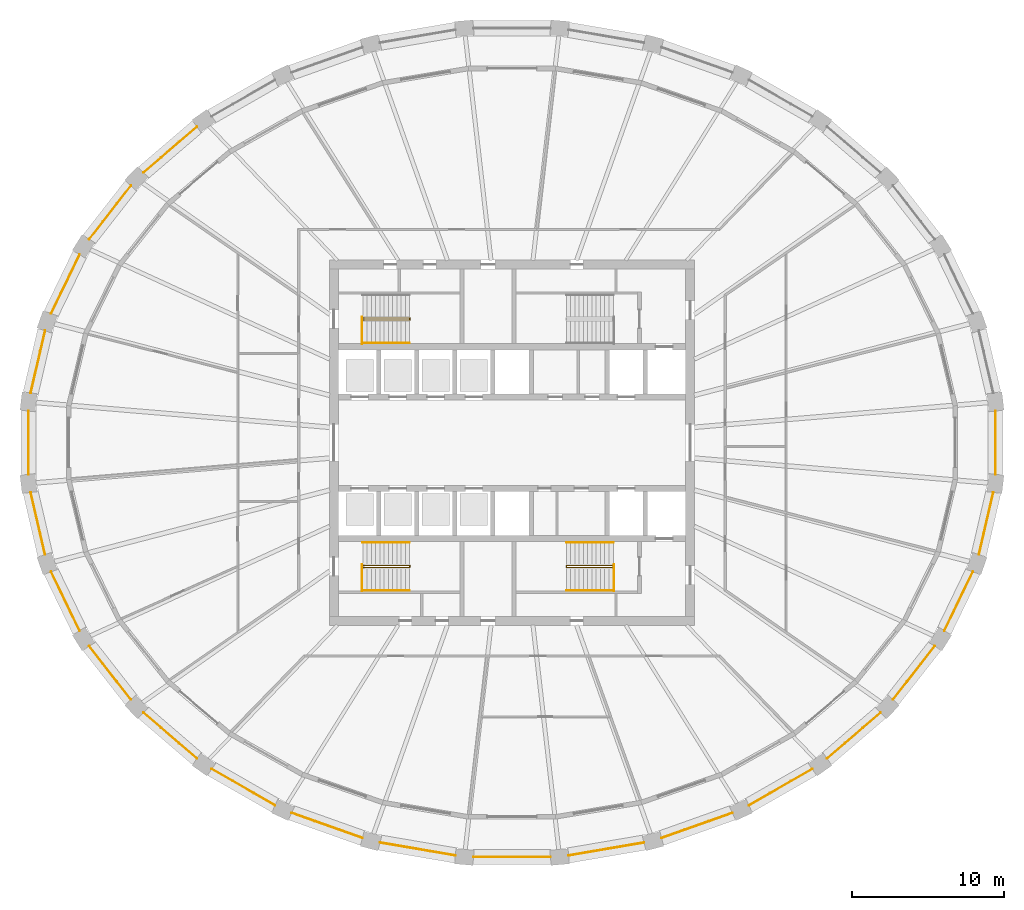
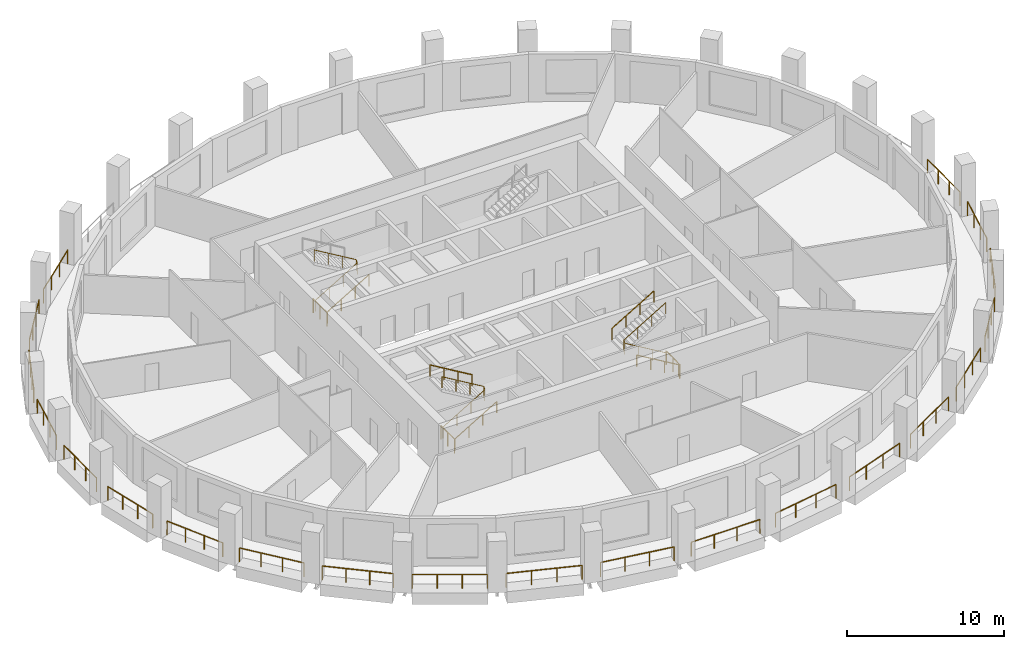
# One storey, part 9 of 11: 32 railings.
"""IFC4 building model written with IfcOpenShell, lengths in metres."""

from ifc_helpers import new_model, si_unit, direction, frame, origin, origin_2d, place, context, subcontext, project, spatial, circle, extrude, material, type_object, element, save


model = new_model("IFC4")

# Units and contexts
model_context = context("Model", 3, precision=1e-05, world=origin(), true_north=direction((0.0, 1.0)))
body_context = subcontext(model_context, "Body", "Model", "MODEL_VIEW")
ifc_project = project(units=[si_unit("LENGTHUNIT", "METRE"), si_unit("AREAUNIT", "SQUARE_METRE"), si_unit("VOLUMEUNIT", "CUBIC_METRE"), si_unit("PLANEANGLEUNIT", "RADIAN"), si_unit("MASSUNIT", "GRAM", prefix="KILO")], contexts=[model_context])

# Site, building, storey
site_placement = place(None, origin())
site = spatial("IfcSite", under=ifc_project, at=site_placement, CompositionType="ELEMENT")
building_placement = place(site_placement, origin())
building = spatial("IfcBuilding", under=site, at=building_placement, Name="Halqa Exchange Tower", CompositionType="ELEMENT")
storey_placement = place(building_placement, frame((0.0, 0.0, 214.89990234375)))
storey = spatial("IfcBuildingStorey", under=building, at=storey_placement, Name="L49", CompositionType="ELEMENT", Elevation=214.89990234375)

# Railings
ifc_material = material(Name="Stainless steel", Category="steel")
railing_type_1 = type_object("IfcRailingType", Name="Guard 1100 stainless steel", PredefinedType="GUARDRAIL", material=ifc_material)
railing_1_placement = place(storey_placement, frame((-20.689208984375, 20.7421875, 0.0)))
element("IfcRailing", 1, at=railing_1_placement, inside=storey, type_object=railing_type_1, Name="Loggia guard 12", PredefinedType="GUARDRAIL", context=body_context, shape_type="SweptSolid", body=[
    extrude(circle(Radius=0.02392578125, at=origin_2d()), frame((0.0, 0.0, 1.076171875), z_axis=(-0.759282695438, -0.650760930302, 0.0), x_axis=(0.650760930302, -0.759282695438, 0.0)), (0.0, 0.0, 1.0), 4.623046875),
    extrude(circle(Radius=0.02099609375, at=origin_2d()), origin(), (0.0, 0.0, 1.0), 1.052001953125),
    extrude(circle(Radius=0.02099609375, at=origin_2d()), frame((-1.170166015625, -1.0029296875, 0.0)), (0.0, 0.0, 1.0), 1.052001953125),
    extrude(circle(Radius=0.02099609375, at=origin_2d()), frame((-2.340087890625, -2.005615234375, 0.0)), (0.0, 0.0, 1.0), 1.052001953125),
    extrude(circle(Radius=0.02099609375, at=origin_2d()), frame((-3.51025390625, -3.008544921875, 0.0)), (0.0, 0.0, 1.0), 1.052001953125),
])
railing_2_placement = place(storey_placement, frame((-25.023681640625, 16.8701171875, 0.0)))
element("IfcRailing", 2, at=railing_2_placement, inside=storey, type_object=railing_type_1, Name="Loggia guard 13", PredefinedType="GUARDRAIL", context=body_context, shape_type="SweptSolid", body=[
    extrude(circle(Radius=0.02392578125, at=origin_2d()), frame((0.0, 0.0, 1.076171875), z_axis=(-0.614817574513, -0.788669354083, 0.0), x_axis=(0.788669354083, -0.614817574513, 0.0)), (0.0, 0.0, 1.0), 4.4501953125),
    extrude(circle(Radius=0.02099609375, at=origin_2d()), origin(), (0.0, 0.0, 1.0), 1.052001953125),
    extrude(circle(Radius=0.02099609375, at=origin_2d()), frame((-0.912109375, -1.169921875, 0.0)), (0.0, 0.0, 1.0), 1.052001953125),
    extrude(circle(Radius=0.02099609375, at=origin_2d()), frame((-1.823974609375, -2.33984375, 0.0)), (0.0, 0.0, 1.0), 1.052001953125),
    extrude(circle(Radius=0.02099609375, at=origin_2d()), frame((-2.736083984375, -3.509765625, 0.0)), (0.0, 0.0, 1.0), 1.052001953125),
])
railing_3_placement = place(storey_placement, frame((-28.3896484375, 12.346923828125, 0.0)))
element("IfcRailing", 3, at=railing_3_placement, inside=storey, type_object=railing_type_1, Name="Loggia guard 14", PredefinedType="GUARDRAIL", context=body_context, shape_type="SweptSolid", body=[
    extrude(circle(Radius=0.02392578125, at=origin_2d()), frame((0.0, 0.0, 1.076171875), z_axis=(-0.435111117013, -0.900376763278, 0.0), x_axis=(0.900376763278, -0.435111117013, 0.0)), (0.0, 0.0, 1.0), 4.299072265625),
    extrude(circle(Radius=0.02099609375, at=origin_2d()), origin(), (0.0, 0.0, 1.0), 1.052001953125),
    extrude(circle(Radius=0.02099609375, at=origin_2d()), frame((-0.62353515625, -1.290283203125, 0.0)), (0.0, 0.0, 1.0), 1.052001953125),
    extrude(circle(Radius=0.02099609375, at=origin_2d()), frame((-1.2470703125, -2.58056640625, 0.0)), (0.0, 0.0, 1.0), 1.052001953125),
    extrude(circle(Radius=0.02099609375, at=origin_2d()), frame((-1.87060546875, -3.870849609375, 0.0)), (0.0, 0.0, 1.0), 1.052001953125),
])
railing_4_placement = place(storey_placement, frame((-30.656982421875, 7.351318359375, 0.0)))
element("IfcRailing", 4, at=railing_4_placement, inside=storey, type_object=railing_type_1, Name="Loggia guard 15", PredefinedType="GUARDRAIL", context=body_context, shape_type="SweptSolid", body=[
    extrude(circle(Radius=0.02392578125, at=origin_2d()), frame((0.0, 0.0, 1.076171875), z_axis=(-0.226057733886, -0.974113905532, 0.0), x_axis=(0.974113905532, -0.226057733886, 0.0)), (0.0, 0.0, 1.0), 4.19580078125),
    extrude(circle(Radius=0.02099609375, at=origin_2d()), origin(), (0.0, 0.0, 1.0), 1.052001953125),
    extrude(circle(Radius=0.02099609375, at=origin_2d()), frame((-0.316162109375, -1.3623046875, 0.0)), (0.0, 0.0, 1.0), 1.052001953125),
    extrude(circle(Radius=0.02099609375, at=origin_2d()), frame((-0.63232421875, -2.724853515625, 0.0)), (0.0, 0.0, 1.0), 1.052001953125),
    extrude(circle(Radius=0.02099609375, at=origin_2d()), frame((-0.948486328125, -4.087158203125, 0.0)), (0.0, 0.0, 1.0), 1.052001953125),
])
railing_5_placement = place(storey_placement, frame((-31.7412109375, 2.07958984375, 0.0)))
element("IfcRailing", 5, at=railing_5_placement, inside=storey, type_object=railing_type_1, Name="Loggia guard 16", PredefinedType="GUARDRAIL", context=body_context, shape_type="SweptSolid", body=[
    extrude(circle(Radius=0.02392578125, at=origin_2d()), frame((0.0, 0.0, 1.076171875), z_axis=(0.0, -1.0, 0.0), x_axis=(1.0, 0.0, 0.0)), (0.0, 0.0, 1.0), 4.1591796875),
    extrude(circle(Radius=0.02099609375, at=origin_2d()), origin(), (0.0, 0.0, 1.0), 1.052001953125),
    extrude(circle(Radius=0.02099609375, at=origin_2d()), frame((0.0, -1.386474609375, 0.0)), (0.0, 0.0, 1.0), 1.052001953125),
    extrude(circle(Radius=0.02099609375, at=origin_2d()), frame((0.0, -2.772705078125, 0.0)), (0.0, 0.0, 1.0), 1.052001953125),
    extrude(circle(Radius=0.02099609375, at=origin_2d()), frame((0.0, -4.1591796875, 0.0)), (0.0, 0.0, 1.0), 1.052001953125),
])
railing_6_placement = place(storey_placement, frame((-31.60546875, -3.26416015625, 0.0)))
element("IfcRailing", 6, at=railing_6_placement, inside=storey, type_object=railing_type_1, Name="Loggia guard 17", PredefinedType="GUARDRAIL", context=body_context, shape_type="SweptSolid", body=[
    extrude(circle(Radius=0.02392578125, at=origin_2d()), frame((0.0, 0.0, 1.076171875), z_axis=(0.226057733886, -0.974113905532, 0.0), x_axis=(0.974113905532, 0.226057733886, 0.0)), (0.0, 0.0, 1.0), 4.19580078125),
    extrude(circle(Radius=0.02099609375, at=origin_2d()), origin(), (0.0, 0.0, 1.0), 1.052001953125),
    extrude(circle(Radius=0.02099609375, at=origin_2d()), frame((0.316162109375, -1.3623046875, 0.0)), (0.0, 0.0, 1.0), 1.052001953125),
    extrude(circle(Radius=0.02099609375, at=origin_2d()), frame((0.63232421875, -2.724853515625, 0.0)), (0.0, 0.0, 1.0), 1.052001953125),
    extrude(circle(Radius=0.02099609375, at=origin_2d()), frame((0.948486328125, -4.087158203125, 0.0)), (0.0, 0.0, 1.0), 1.052001953125),
])
railing_7_placement = place(storey_placement, frame((-30.26025390625, -8.47607421875, 0.0)))
element("IfcRailing", 7, at=railing_7_placement, inside=storey, type_object=railing_type_1, Name="Loggia guard 18", PredefinedType="GUARDRAIL", context=body_context, shape_type="SweptSolid", body=[
    extrude(circle(Radius=0.02392578125, at=origin_2d()), frame((0.0, 0.0, 1.076171875), z_axis=(0.435111117013, -0.900376763278, 0.0), x_axis=(0.900376763278, 0.435111117013, 0.0)), (0.0, 0.0, 1.0), 4.299072265625),
    extrude(circle(Radius=0.02099609375, at=origin_2d()), origin(), (0.0, 0.0, 1.0), 1.052001953125),
    extrude(circle(Radius=0.02099609375, at=origin_2d()), frame((0.62353515625, -1.290283203125, 0.0)), (0.0, 0.0, 1.0), 1.052001953125),
    extrude(circle(Radius=0.02099609375, at=origin_2d()), frame((1.2470703125, -2.58056640625, 0.0)), (0.0, 0.0, 1.0), 1.052001953125),
    extrude(circle(Radius=0.02099609375, at=origin_2d()), frame((1.87060546875, -3.870849609375, 0.0)), (0.0, 0.0, 1.0), 1.052001953125),
])
railing_8_placement = place(storey_placement, frame((-27.759765625, -13.3603515625, 0.0)))
element("IfcRailing", 8, at=railing_8_placement, inside=storey, type_object=railing_type_1, Name="Loggia guard 19", PredefinedType="GUARDRAIL", context=body_context, shape_type="SweptSolid", body=[
    extrude(circle(Radius=0.02392578125, at=origin_2d()), frame((0.0, 0.0, 1.076171875), z_axis=(0.614817574513, -0.788669354083, 0.0), x_axis=(0.788669354083, 0.614817574513, 0.0)), (0.0, 0.0, 1.0), 4.4501953125),
    extrude(circle(Radius=0.02099609375, at=origin_2d()), origin(), (0.0, 0.0, 1.0), 1.052001953125),
    extrude(circle(Radius=0.02099609375, at=origin_2d()), frame((0.912109375, -1.169921875, 0.0)), (0.0, 0.0, 1.0), 1.052001953125),
    extrude(circle(Radius=0.02099609375, at=origin_2d()), frame((1.823974609375, -2.33984375, 0.0)), (0.0, 0.0, 1.0), 1.052001953125),
    extrude(circle(Radius=0.02099609375, at=origin_2d()), frame((2.736083984375, -3.509765625, 0.0)), (0.0, 0.0, 1.0), 1.052001953125),
])
railing_9_placement = place(storey_placement, frame((-24.199462890625, -17.733642578125, 0.0)))
element("IfcRailing", 9, at=railing_9_placement, inside=storey, type_object=railing_type_1, Name="Loggia guard 20", PredefinedType="GUARDRAIL", context=body_context, shape_type="SweptSolid", body=[
    extrude(circle(Radius=0.02392578125, at=origin_2d()), frame((0.0, 0.0, 1.076171875), z_axis=(0.759282695438, -0.650760930302, 0.0), x_axis=(0.650760930302, 0.759282695438, 0.0)), (0.0, 0.0, 1.0), 4.623046875),
    extrude(circle(Radius=0.02099609375, at=origin_2d()), origin(), (0.0, 0.0, 1.0), 1.052001953125),
    extrude(circle(Radius=0.02099609375, at=origin_2d()), frame((1.170166015625, -1.0029296875, 0.0)), (0.0, 0.0, 1.0), 1.052001953125),
    extrude(circle(Radius=0.02099609375, at=origin_2d()), frame((2.340087890625, -2.005615234375, 0.0)), (0.0, 0.0, 1.0), 1.052001953125),
    extrude(circle(Radius=0.02099609375, at=origin_2d()), frame((3.51025390625, -3.008544921875, 0.0)), (0.0, 0.0, 1.0), 1.052001953125),
])
railing_10_placement = place(storey_placement, frame((-19.713134765625, -21.430908203125, 0.0)))
element("IfcRailing", 10, at=railing_10_placement, inside=storey, type_object=railing_type_1, Name="Loggia guard 21", PredefinedType="GUARDRAIL", context=body_context, shape_type="SweptSolid", body=[
    extrude(circle(Radius=0.02392578125, at=origin_2d()), frame((0.0, 0.0, 1.076171875), z_axis=(0.867744081254, -0.497011276983, 0.0), x_axis=(0.497011276983, 0.867744081254, 0.0)), (0.0, 0.0, 1.0), 4.790771484375),
    extrude(circle(Radius=0.02099609375, at=origin_2d()), origin(), (0.0, 0.0, 1.0), 1.052001953125),
    extrude(circle(Radius=0.02099609375, at=origin_2d()), frame((1.3857421875, -0.793701171875, 0.0)), (0.0, 0.0, 1.0), 1.052001953125),
    extrude(circle(Radius=0.02099609375, at=origin_2d()), frame((2.771484375, -1.58740234375, 0.0)), (0.0, 0.0, 1.0), 1.052001953125),
    extrude(circle(Radius=0.02099609375, at=origin_2d()), frame((4.1572265625, -2.381103515625, 0.0)), (0.0, 0.0, 1.0), 1.052001953125),
])
railing_11_placement = place(storey_placement, frame((-14.4697265625, -24.310791015625, 0.0)))
element("IfcRailing", 11, at=railing_11_placement, inside=storey, type_object=railing_type_1, Name="Loggia guard 22", PredefinedType="GUARDRAIL", context=body_context, shape_type="SweptSolid", body=[
    extrude(circle(Radius=0.02392578125, at=origin_2d()), frame((0.0, 0.0, 1.076171875), z_axis=(0.942353210316, -0.334619824589, 0.0), x_axis=(0.334619824589, 0.942353210316, 0.0)), (0.0, 0.0, 1.0), 4.929931640625),
    extrude(circle(Radius=0.02099609375, at=origin_2d()), origin(), (0.0, 0.0, 1.0), 1.052001953125),
    extrude(circle(Radius=0.02099609375, at=origin_2d()), frame((1.548583984375, -0.5498046875, 0.0)), (0.0, 0.0, 1.0), 1.052001953125),
    extrude(circle(Radius=0.02099609375, at=origin_2d()), frame((3.09716796875, -1.099853515625, 0.0)), (0.0, 0.0, 1.0), 1.052001953125),
    extrude(circle(Radius=0.02099609375, at=origin_2d()), frame((4.645751953125, -1.649658203125, 0.0)), (0.0, 0.0, 1.0), 1.052001953125),
])
railing_12_placement = place(storey_placement, frame((-8.6669921875, -26.261962890625, 0.0)))
element("IfcRailing", 12, at=railing_12_placement, inside=storey, type_object=railing_type_1, Name="Loggia guard 23", PredefinedType="GUARDRAIL", context=body_context, shape_type="SweptSolid", body=[
    extrude(circle(Radius=0.02392578125, at=origin_2d()), frame((0.0, 0.0, 1.076171875), z_axis=(0.985769265173, -0.168104003044, 0.0), x_axis=(0.168104003044, 0.985769265173, 0.0)), (0.0, 0.0, 1.0), 5.020751953125),
    extrude(circle(Radius=0.02099609375, at=origin_2d()), origin(), (0.0, 0.0, 1.0), 1.052001953125),
    extrude(circle(Radius=0.02099609375, at=origin_2d()), frame((1.649658203125, -0.28125, 0.0)), (0.0, 0.0, 1.0), 1.052001953125),
    extrude(circle(Radius=0.02099609375, at=origin_2d()), frame((3.299560546875, -0.562744140625, 0.0)), (0.0, 0.0, 1.0), 1.052001953125),
    extrude(circle(Radius=0.02099609375, at=origin_2d()), frame((4.94921875, -0.843994140625, 0.0)), (0.0, 0.0, 1.0), 1.052001953125),
])
railing_13_placement = place(storey_placement, frame((-2.526123046875, -27.206787109375, 0.0)))
element("IfcRailing", 13, at=railing_13_placement, inside=storey, type_object=railing_type_1, Name="Loggia guard 24", PredefinedType="GUARDRAIL", context=body_context, shape_type="SweptSolid", body=[
    extrude(circle(Radius=0.02392578125, at=origin_2d()), frame((0.0, 0.0, 1.076171875), z_axis=(1.0, 0.0, 0.0), x_axis=(0.0, 1.0, 0.0)), (0.0, 0.0, 1.0), 5.05224609375),
    extrude(circle(Radius=0.02099609375, at=origin_2d()), origin(), (0.0, 0.0, 1.0), 1.052001953125),
    extrude(circle(Radius=0.02099609375, at=origin_2d()), frame((1.68408203125, 0.0, 0.0)), (0.0, 0.0, 1.0), 1.052001953125),
    extrude(circle(Radius=0.02099609375, at=origin_2d()), frame((3.3681640625, 0.0, 0.0)), (0.0, 0.0, 1.0), 1.052001953125),
    extrude(circle(Radius=0.02099609375, at=origin_2d()), frame((5.05224609375, 0.0, 0.0)), (0.0, 0.0, 1.0), 1.052001953125),
])
railing_14_placement = place(storey_placement, frame((3.7177734375, -27.10595703125, 0.0)))
element("IfcRailing", 14, at=railing_14_placement, inside=storey, type_object=railing_type_1, Name="Loggia guard 25", PredefinedType="GUARDRAIL", context=body_context, shape_type="SweptSolid", body=[
    extrude(circle(Radius=0.02392578125, at=origin_2d()), frame((0.0, 0.0, 1.076171875), z_axis=(0.985769265173, 0.168104003044, 0.0), x_axis=(-0.168104003044, 0.985769265173, 0.0)), (0.0, 0.0, 1.0), 5.020751953125),
    extrude(circle(Radius=0.02099609375, at=origin_2d()), origin(), (0.0, 0.0, 1.0), 1.052001953125),
    extrude(circle(Radius=0.02099609375, at=origin_2d()), frame((1.649658203125, 0.28125, 0.0)), (0.0, 0.0, 1.0), 1.052001953125),
    extrude(circle(Radius=0.02099609375, at=origin_2d()), frame((3.299560546875, 0.562744140625, 0.0)), (0.0, 0.0, 1.0), 1.052001953125),
    extrude(circle(Radius=0.02099609375, at=origin_2d()), frame((4.94921875, 0.843994140625, 0.0)), (0.0, 0.0, 1.0), 1.052001953125),
])
railing_15_placement = place(storey_placement, frame((9.823974609375, -25.96044921875, 0.0)))
element("IfcRailing", 15, at=railing_15_placement, inside=storey, type_object=railing_type_1, Name="Loggia guard 26", PredefinedType="GUARDRAIL", context=body_context, shape_type="SweptSolid", body=[
    extrude(circle(Radius=0.02392578125, at=origin_2d()), frame((0.0, 0.0, 1.076171875), z_axis=(0.942353210316, 0.334619824589, 0.0), x_axis=(-0.334619824589, 0.942353210316, 0.0)), (0.0, 0.0, 1.0), 4.929931640625),
    extrude(circle(Radius=0.02099609375, at=origin_2d()), origin(), (0.0, 0.0, 1.0), 1.052001953125),
    extrude(circle(Radius=0.02099609375, at=origin_2d()), frame((1.548583984375, 0.5498046875, 0.0)), (0.0, 0.0, 1.0), 1.052001953125),
    extrude(circle(Radius=0.02099609375, at=origin_2d()), frame((3.09716796875, 1.099853515625, 0.0)), (0.0, 0.0, 1.0), 1.052001953125),
    extrude(circle(Radius=0.02099609375, at=origin_2d()), frame((4.645751953125, 1.649658203125, 0.0)), (0.0, 0.0, 1.0), 1.052001953125),
])
railing_16_placement = place(storey_placement, frame((15.555908203125, -23.81201171875, 0.0)))
element("IfcRailing", 16, at=railing_16_placement, inside=storey, type_object=railing_type_1, Name="Loggia guard 27", PredefinedType="GUARDRAIL", context=body_context, shape_type="SweptSolid", body=[
    extrude(circle(Radius=0.02392578125, at=origin_2d()), frame((0.0, 0.0, 1.076171875), z_axis=(0.867744081254, 0.497011276983, 0.0), x_axis=(-0.497011276983, 0.867744081254, 0.0)), (0.0, 0.0, 1.0), 4.790771484375),
    extrude(circle(Radius=0.02099609375, at=origin_2d()), origin(), (0.0, 0.0, 1.0), 1.052001953125),
    extrude(circle(Radius=0.02099609375, at=origin_2d()), frame((1.3857421875, 0.793701171875, 0.0)), (0.0, 0.0, 1.0), 1.052001953125),
    extrude(circle(Radius=0.02099609375, at=origin_2d()), frame((2.771484375, 1.58740234375, 0.0)), (0.0, 0.0, 1.0), 1.052001953125),
    extrude(circle(Radius=0.02099609375, at=origin_2d()), frame((4.1572265625, 2.381103515625, 0.0)), (0.0, 0.0, 1.0), 1.052001953125),
])
railing_17_placement = place(storey_placement, frame((20.689208984375, -20.7421875, 0.0)))
element("IfcRailing", 17, at=railing_17_placement, inside=storey, type_object=railing_type_1, Name="Loggia guard 28", PredefinedType="GUARDRAIL", context=body_context, shape_type="SweptSolid", body=[
    extrude(circle(Radius=0.02392578125, at=origin_2d()), frame((0.0, 0.0, 1.076171875), z_axis=(0.759282695438, 0.650760930302, 0.0), x_axis=(-0.650760930302, 0.759282695438, 0.0)), (0.0, 0.0, 1.0), 4.623046875),
    extrude(circle(Radius=0.02099609375, at=origin_2d()), origin(), (0.0, 0.0, 1.0), 1.052001953125),
    extrude(circle(Radius=0.02099609375, at=origin_2d()), frame((1.170166015625, 1.0029296875, 0.0)), (0.0, 0.0, 1.0), 1.052001953125),
    extrude(circle(Radius=0.02099609375, at=origin_2d()), frame((2.340087890625, 2.005615234375, 0.0)), (0.0, 0.0, 1.0), 1.052001953125),
    extrude(circle(Radius=0.02099609375, at=origin_2d()), frame((3.51025390625, 3.008544921875, 0.0)), (0.0, 0.0, 1.0), 1.052001953125),
])
railing_18_placement = place(storey_placement, frame((25.023681640625, -16.8701171875, 0.0)))
element("IfcRailing", 18, at=railing_18_placement, inside=storey, type_object=railing_type_1, Name="Loggia guard 29", PredefinedType="GUARDRAIL", context=body_context, shape_type="SweptSolid", body=[
    extrude(circle(Radius=0.02392578125, at=origin_2d()), frame((0.0, 0.0, 1.076171875), z_axis=(0.614817574513, 0.788669354083, 0.0), x_axis=(-0.788669354083, 0.614817574513, 0.0)), (0.0, 0.0, 1.0), 4.4501953125),
    extrude(circle(Radius=0.02099609375, at=origin_2d()), origin(), (0.0, 0.0, 1.0), 1.052001953125),
    extrude(circle(Radius=0.02099609375, at=origin_2d()), frame((0.912109375, 1.169921875, 0.0)), (0.0, 0.0, 1.0), 1.052001953125),
    extrude(circle(Radius=0.02099609375, at=origin_2d()), frame((1.823974609375, 2.33984375, 0.0)), (0.0, 0.0, 1.0), 1.052001953125),
    extrude(circle(Radius=0.02099609375, at=origin_2d()), frame((2.736083984375, 3.509765625, 0.0)), (0.0, 0.0, 1.0), 1.052001953125),
])
railing_19_placement = place(storey_placement, frame((28.3896484375, -12.346923828125, 0.0)))
element("IfcRailing", 19, at=railing_19_placement, inside=storey, type_object=railing_type_1, Name="Loggia guard 30", PredefinedType="GUARDRAIL", context=body_context, shape_type="SweptSolid", body=[
    extrude(circle(Radius=0.02392578125, at=origin_2d()), frame((0.0, 0.0, 1.076171875), z_axis=(0.435111117013, 0.900376763278, 0.0), x_axis=(-0.900376763278, 0.435111117013, 0.0)), (0.0, 0.0, 1.0), 4.299072265625),
    extrude(circle(Radius=0.02099609375, at=origin_2d()), origin(), (0.0, 0.0, 1.0), 1.052001953125),
    extrude(circle(Radius=0.02099609375, at=origin_2d()), frame((0.62353515625, 1.290283203125, 0.0)), (0.0, 0.0, 1.0), 1.052001953125),
    extrude(circle(Radius=0.02099609375, at=origin_2d()), frame((1.2470703125, 2.58056640625, 0.0)), (0.0, 0.0, 1.0), 1.052001953125),
    extrude(circle(Radius=0.02099609375, at=origin_2d()), frame((1.87060546875, 3.870849609375, 0.0)), (0.0, 0.0, 1.0), 1.052001953125),
])
railing_20_placement = place(storey_placement, frame((30.656982421875, -7.351318359375, 0.0)))
element("IfcRailing", 20, at=railing_20_placement, inside=storey, type_object=railing_type_1, Name="Loggia guard 31", PredefinedType="GUARDRAIL", context=body_context, shape_type="SweptSolid", body=[
    extrude(circle(Radius=0.02392578125, at=origin_2d()), frame((0.0, 0.0, 1.076171875), z_axis=(0.226057733886, 0.974113905532, 0.0), x_axis=(-0.974113905532, 0.226057733886, 0.0)), (0.0, 0.0, 1.0), 4.19580078125),
    extrude(circle(Radius=0.02099609375, at=origin_2d()), origin(), (0.0, 0.0, 1.0), 1.052001953125),
    extrude(circle(Radius=0.02099609375, at=origin_2d()), frame((0.316162109375, 1.3623046875, 0.0)), (0.0, 0.0, 1.0), 1.052001953125),
    extrude(circle(Radius=0.02099609375, at=origin_2d()), frame((0.63232421875, 2.724853515625, 0.0)), (0.0, 0.0, 1.0), 1.052001953125),
    extrude(circle(Radius=0.02099609375, at=origin_2d()), frame((0.948486328125, 4.087158203125, 0.0)), (0.0, 0.0, 1.0), 1.052001953125),
])
railing_21_placement = place(storey_placement, frame((31.7412109375, -2.07958984375, 0.0)))
element("IfcRailing", 21, at=railing_21_placement, inside=storey, type_object=railing_type_1, Name="Loggia guard 32", PredefinedType="GUARDRAIL", context=body_context, shape_type="SweptSolid", body=[
    extrude(circle(Radius=0.02392578125, at=origin_2d()), frame((0.0, 0.0, 1.076171875), z_axis=(0.0, 1.0, 0.0), x_axis=(-1.0, 0.0, 0.0)), (0.0, 0.0, 1.0), 4.1591796875),
    extrude(circle(Radius=0.02099609375, at=origin_2d()), origin(), (0.0, 0.0, 1.0), 1.052001953125),
    extrude(circle(Radius=0.02099609375, at=origin_2d()), frame((0.0, 1.386474609375, 0.0)), (0.0, 0.0, 1.0), 1.052001953125),
    extrude(circle(Radius=0.02099609375, at=origin_2d()), frame((0.0, 2.772705078125, 0.0)), (0.0, 0.0, 1.0), 1.052001953125),
    extrude(circle(Radius=0.02099609375, at=origin_2d()), frame((0.0, 4.1591796875, 0.0)), (0.0, 0.0, 1.0), 1.052001953125),
])
railing_type_2 = type_object("IfcRailingType", Name="Stair handrail 900", PredefinedType="HANDRAIL", material=ifc_material)
railing_22_placement = place(storey_placement, frame((-9.800048828125, 8.06005859375, 0.166748046875)))
element("IfcRailing", 22, at=railing_22_placement, inside=storey, type_object=railing_type_2, Name="Handrail ST1.1", PredefinedType="HANDRAIL", context=body_context, shape_type="SweptSolid", body=[
    extrude(circle(Radius=0.02392578125, at=origin_2d()), frame((0.0, 0.0, 0.8759765625), z_axis=(0.859308565015, 0.0, 0.511457515432), x_axis=(0.0, 1.0, 0.0)), (0.0, 0.0, 1.0), 3.58447265625),
    extrude(circle(Radius=0.02392578125, at=origin_2d()), frame((3.080078125, 0.0, 2.708984375), z_axis=(0.0, 0.614500226555, 0.788916644243), x_axis=(-1.0, 0.0, 0.0)), (0.0, 0.0, 1.0), 0.21142578125),
    extrude(circle(Radius=0.02392578125, at=origin_2d()), frame((3.080078125, 0.1298828125, 2.8759765625), z_axis=(-0.859308565015, 0.0, 0.511457515432), x_axis=(0.0, -1.0, 0.0)), (0.0, 0.0, 1.0), 3.58447265625),
    extrude(circle(Radius=0.02099609375, at=origin_2d()), origin(), (0.0, 0.0, 1.0), 0.851806640625),
    extrude(circle(Radius=0.02099609375, at=origin_2d()), frame((1.026611328125, 0.0, 0.611083984375)), (0.0, 0.0, 1.0), 0.851806640625),
    extrude(circle(Radius=0.02099609375, at=origin_2d()), frame((2.053466796875, 0.0, 1.22216796875)), (0.0, 0.0, 1.0), 0.851806640625),
    extrude(circle(Radius=0.02099609375, at=origin_2d()), frame((3.080078125, 0.0, 1.833251953125)), (0.0, 0.0, 1.0), 0.851806640625),
    extrude(circle(Radius=0.02099609375, at=origin_2d()), frame((3.080078125, 0.1298828125, 2.0)), (0.0, 0.0, 1.0), 0.851806640625),
    extrude(circle(Radius=0.02099609375, at=origin_2d()), frame((2.053466796875, 0.1298828125, 2.611083984375)), (0.0, 0.0, 1.0), 0.851806640625),
    extrude(circle(Radius=0.02099609375, at=origin_2d()), frame((1.026611328125, 0.1298828125, 3.22216796875)), (0.0, 0.0, 1.0), 0.851806640625),
    extrude(circle(Radius=0.02099609375, at=origin_2d()), frame((0.0, 0.1298828125, 3.833251953125)), (0.0, 0.0, 1.0), 0.851806640625),
])
railing_23_placement = place(storey_placement, frame((-9.800048828125, 6.550048828125, 0.166748046875)))
element("IfcRailing", 23, at=railing_23_placement, inside=storey, type_object=railing_type_2, Name="Handrail ST1.2", PredefinedType="HANDRAIL", context=body_context, shape_type="SweptSolid", body=[
    extrude(circle(Radius=0.02392578125, at=origin_2d()), frame((0.0, 0.0, 0.8759765625), z_axis=(0.859308565015, 0.0, 0.511457515432), x_axis=(0.0, 1.0, 0.0)), (0.0, 0.0, 1.0), 3.58447265625),
    extrude(circle(Radius=0.02099609375, at=origin_2d()), origin(), (0.0, 0.0, 1.0), 0.851806640625),
    extrude(circle(Radius=0.02099609375, at=origin_2d()), frame((1.026611328125, 0.0, 0.611083984375)), (0.0, 0.0, 1.0), 0.851806640625),
    extrude(circle(Radius=0.02099609375, at=origin_2d()), frame((2.053466796875, 0.0, 1.22216796875)), (0.0, 0.0, 1.0), 0.851806640625),
    extrude(circle(Radius=0.02099609375, at=origin_2d()), frame((3.080078125, 0.0, 1.833251953125)), (0.0, 0.0, 1.0), 0.851806640625),
])
railing_24_placement = place(storey_placement, frame((-9.800048828125, -8.18994140625, 0.166748046875)))
element("IfcRailing", 24, at=railing_24_placement, inside=storey, type_object=railing_type_2, Name="Handrail ST3.1", PredefinedType="HANDRAIL", context=body_context, shape_type="SweptSolid", body=[
    extrude(circle(Radius=0.02392578125, at=origin_2d()), frame((0.0, 0.0, 0.8759765625), z_axis=(0.859308565015, 0.0, 0.511457515432), x_axis=(0.0, 1.0, 0.0)), (0.0, 0.0, 1.0), 3.58447265625),
    extrude(circle(Radius=0.02392578125, at=origin_2d()), frame((3.080078125, 0.0, 2.708984375), z_axis=(0.0, 0.614500226555, 0.788916644243), x_axis=(-1.0, 0.0, 0.0)), (0.0, 0.0, 1.0), 0.21142578125),
    extrude(circle(Radius=0.02392578125, at=origin_2d()), frame((3.080078125, 0.1298828125, 2.8759765625), z_axis=(-0.859308565015, 0.0, 0.511457515432), x_axis=(0.0, -1.0, 0.0)), (0.0, 0.0, 1.0), 3.58447265625),
    extrude(circle(Radius=0.02099609375, at=origin_2d()), origin(), (0.0, 0.0, 1.0), 0.851806640625),
    extrude(circle(Radius=0.02099609375, at=origin_2d()), frame((1.026611328125, 0.0, 0.611083984375)), (0.0, 0.0, 1.0), 0.851806640625),
    extrude(circle(Radius=0.02099609375, at=origin_2d()), frame((2.053466796875, 0.0, 1.22216796875)), (0.0, 0.0, 1.0), 0.851806640625),
    extrude(circle(Radius=0.02099609375, at=origin_2d()), frame((3.080078125, 0.0, 1.833251953125)), (0.0, 0.0, 1.0), 0.851806640625),
    extrude(circle(Radius=0.02099609375, at=origin_2d()), frame((3.080078125, 0.1298828125, 2.0)), (0.0, 0.0, 1.0), 0.851806640625),
    extrude(circle(Radius=0.02099609375, at=origin_2d()), frame((2.053466796875, 0.1298828125, 2.611083984375)), (0.0, 0.0, 1.0), 0.851806640625),
    extrude(circle(Radius=0.02099609375, at=origin_2d()), frame((1.026611328125, 0.1298828125, 3.22216796875)), (0.0, 0.0, 1.0), 0.851806640625),
    extrude(circle(Radius=0.02099609375, at=origin_2d()), frame((0.0, 0.1298828125, 3.833251953125)), (0.0, 0.0, 1.0), 0.851806640625),
])
railing_25_placement = place(storey_placement, frame((-9.800048828125, -9.699951171875, 0.166748046875)))
element("IfcRailing", 25, at=railing_25_placement, inside=storey, type_object=railing_type_2, Name="Handrail ST3.2", PredefinedType="HANDRAIL", context=body_context, shape_type="SweptSolid", body=[
    extrude(circle(Radius=0.02392578125, at=origin_2d()), frame((0.0, 0.0, 0.8759765625), z_axis=(0.859308565015, 0.0, 0.511457515432), x_axis=(0.0, 1.0, 0.0)), (0.0, 0.0, 1.0), 3.58447265625),
    extrude(circle(Radius=0.02099609375, at=origin_2d()), origin(), (0.0, 0.0, 1.0), 0.851806640625),
    extrude(circle(Radius=0.02099609375, at=origin_2d()), frame((1.026611328125, 0.0, 0.611083984375)), (0.0, 0.0, 1.0), 0.851806640625),
    extrude(circle(Radius=0.02099609375, at=origin_2d()), frame((2.053466796875, 0.0, 1.22216796875)), (0.0, 0.0, 1.0), 0.851806640625),
    extrude(circle(Radius=0.02099609375, at=origin_2d()), frame((3.080078125, 0.0, 1.833251953125)), (0.0, 0.0, 1.0), 0.851806640625),
])
railing_26_placement = place(storey_placement, frame((-6.719970703125, -6.550048828125, 2.166748046875)))
element("IfcRailing", 26, at=railing_26_placement, inside=storey, type_object=railing_type_2, Name="Handrail ST3.3", PredefinedType="HANDRAIL", context=body_context, shape_type="SweptSolid", body=[
    extrude(circle(Radius=0.02392578125, at=origin_2d()), frame((0.0, 0.0, 0.8759765625), z_axis=(-0.859308565015, 0.0, 0.511457515432), x_axis=(0.0, -1.0, 0.0)), (0.0, 0.0, 1.0), 3.58447265625),
    extrude(circle(Radius=0.02099609375, at=origin_2d()), origin(), (0.0, 0.0, 1.0), 0.851806640625),
    extrude(circle(Radius=0.02099609375, at=origin_2d()), frame((-1.026611328125, 0.0, 0.611083984375)), (0.0, 0.0, 1.0), 0.851806640625),
    extrude(circle(Radius=0.02099609375, at=origin_2d()), frame((-2.053466796875, 0.0, 1.22216796875)), (0.0, 0.0, 1.0), 0.851806640625),
    extrude(circle(Radius=0.02099609375, at=origin_2d()), frame((-3.080078125, 0.0, 1.833251953125)), (0.0, 0.0, 1.0), 0.851806640625),
])
railing_27_placement = place(storey_placement, frame((6.64990234375, -8.18994140625, 0.166748046875)))
element("IfcRailing", 27, at=railing_27_placement, inside=storey, type_object=railing_type_2, Name="Handrail ST4.1", PredefinedType="HANDRAIL", context=body_context, shape_type="SweptSolid", body=[
    extrude(circle(Radius=0.02392578125, at=origin_2d()), frame((0.0, 0.0, 0.8759765625), z_axis=(-0.859290745958, 0.0, 0.51148745235), x_axis=(0.0, -1.0, 0.0)), (0.0, 0.0, 1.0), 3.584228515625),
    extrude(circle(Radius=0.02392578125, at=origin_2d()), frame((-3.079833984375, 0.0, 2.708984375), z_axis=(0.0, 0.614500226555, 0.788916644243), x_axis=(-1.0, 0.0, 0.0)), (0.0, 0.0, 1.0), 0.21142578125),
    extrude(circle(Radius=0.02392578125, at=origin_2d()), frame((-3.079833984375, 0.1298828125, 2.8759765625), z_axis=(0.859290745958, 0.0, 0.51148745235), x_axis=(0.0, 1.0, 0.0)), (0.0, 0.0, 1.0), 3.584228515625),
    extrude(circle(Radius=0.02099609375, at=origin_2d()), origin(), (0.0, 0.0, 1.0), 0.851806640625),
    extrude(circle(Radius=0.02099609375, at=origin_2d()), frame((-1.026611328125, 0.0, 0.611083984375)), (0.0, 0.0, 1.0), 0.851806640625),
    extrude(circle(Radius=0.02099609375, at=origin_2d()), frame((-2.05322265625, 0.0, 1.22216796875)), (0.0, 0.0, 1.0), 0.851806640625),
    extrude(circle(Radius=0.02099609375, at=origin_2d()), frame((-3.079833984375, 0.0, 1.833251953125)), (0.0, 0.0, 1.0), 0.851806640625),
    extrude(circle(Radius=0.02099609375, at=origin_2d()), frame((-3.079833984375, 0.1298828125, 2.0)), (0.0, 0.0, 1.0), 0.851806640625),
    extrude(circle(Radius=0.02099609375, at=origin_2d()), frame((-2.05322265625, 0.1298828125, 2.611083984375)), (0.0, 0.0, 1.0), 0.851806640625),
    extrude(circle(Radius=0.02099609375, at=origin_2d()), frame((-1.026611328125, 0.1298828125, 3.22216796875)), (0.0, 0.0, 1.0), 0.851806640625),
    extrude(circle(Radius=0.02099609375, at=origin_2d()), frame((0.0, 0.1298828125, 3.833251953125)), (0.0, 0.0, 1.0), 0.851806640625),
])
railing_28_placement = place(storey_placement, frame((6.64990234375, -9.699951171875, 0.166748046875)))
element("IfcRailing", 28, at=railing_28_placement, inside=storey, type_object=railing_type_2, Name="Handrail ST4.2", PredefinedType="HANDRAIL", context=body_context, shape_type="SweptSolid", body=[
    extrude(circle(Radius=0.02392578125, at=origin_2d()), frame((0.0, 0.0, 0.8759765625), z_axis=(-0.859290745958, 0.0, 0.51148745235), x_axis=(0.0, -1.0, 0.0)), (0.0, 0.0, 1.0), 3.584228515625),
    extrude(circle(Radius=0.02099609375, at=origin_2d()), origin(), (0.0, 0.0, 1.0), 0.851806640625),
    extrude(circle(Radius=0.02099609375, at=origin_2d()), frame((-1.026611328125, 0.0, 0.611083984375)), (0.0, 0.0, 1.0), 0.851806640625),
    extrude(circle(Radius=0.02099609375, at=origin_2d()), frame((-2.05322265625, 0.0, 1.22216796875)), (0.0, 0.0, 1.0), 0.851806640625),
    extrude(circle(Radius=0.02099609375, at=origin_2d()), frame((-3.079833984375, 0.0, 1.833251953125)), (0.0, 0.0, 1.0), 0.851806640625),
])
railing_29_placement = place(storey_placement, frame((3.570068359375, -6.550048828125, 2.166748046875)))
element("IfcRailing", 29, at=railing_29_placement, inside=storey, type_object=railing_type_2, Name="Handrail ST4.3", PredefinedType="HANDRAIL", context=body_context, shape_type="SweptSolid", body=[
    extrude(circle(Radius=0.02392578125, at=origin_2d()), frame((0.0, 0.0, 0.8759765625), z_axis=(0.859290745958, 0.0, 0.51148745235), x_axis=(0.0, 1.0, 0.0)), (0.0, 0.0, 1.0), 3.584228515625),
    extrude(circle(Radius=0.02099609375, at=origin_2d()), origin(), (0.0, 0.0, 1.0), 0.851806640625),
    extrude(circle(Radius=0.02099609375, at=origin_2d()), frame((1.026611328125, 0.0, 0.611083984375)), (0.0, 0.0, 1.0), 0.851806640625),
    extrude(circle(Radius=0.02099609375, at=origin_2d()), frame((2.05322265625, 0.0, 1.22216796875)), (0.0, 0.0, 1.0), 0.851806640625),
    extrude(circle(Radius=0.02099609375, at=origin_2d()), frame((3.079833984375, 0.0, 1.833251953125)), (0.0, 0.0, 1.0), 0.851806640625),
])
railing_type_3 = type_object("IfcRailingType", Name="Stair well guard 1100", PredefinedType="GUARDRAIL", material=ifc_material)
for number, where, name in (
    (30, (-9.85009765625, 6.5, 0.0), "Guard ST1 well"),
    (31, (-9.85009765625, -9.75, 0.0), "Guard ST3 well"),
    (32, (6.699951171875, -9.75, 0.0), "Guard ST4 well"),
):
    element("IfcRailing", number, at=place(storey_placement, frame(where)), inside=storey, type_object=railing_type_3, Name=name, PredefinedType="GUARDRAIL", context=body_context, shape_type="SweptSolid", body=[
        extrude(circle(Radius=0.02392578125, at=origin_2d()), frame((0.0, 0.0, 1.076171875), z_axis=(0.0, 1.0, 0.0), x_axis=(-1.0, 0.0, 0.0)), (0.0, 0.0, 1.0), 1.75),
        extrude(circle(Radius=0.02099609375, at=origin_2d()), origin(), (0.0, 0.0, 1.0), 1.052001953125),
        extrude(circle(Radius=0.02099609375, at=origin_2d()), frame((0.0, 0.875, 0.0)), (0.0, 0.0, 1.0), 1.052001953125),
        extrude(circle(Radius=0.02099609375, at=origin_2d()), frame((0.0, 1.75, 0.0)), (0.0, 0.0, 1.0), 1.052001953125),
    ])

save(model, "model.ifc")
